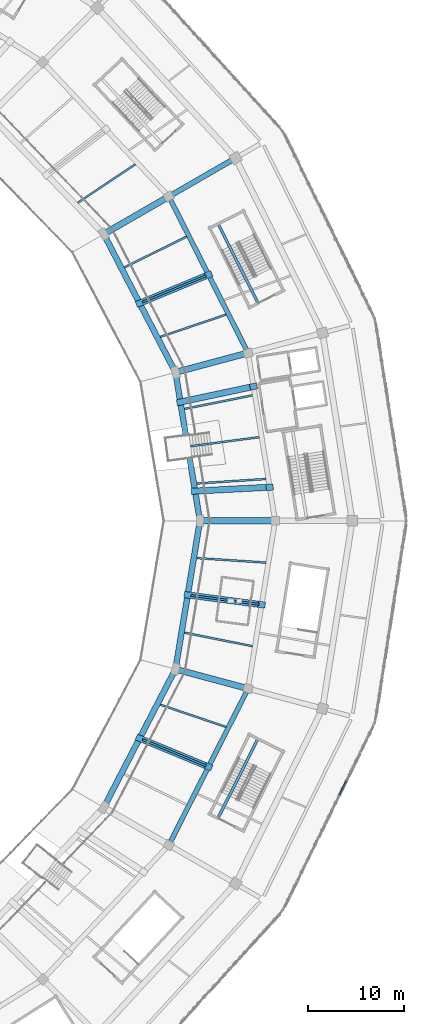
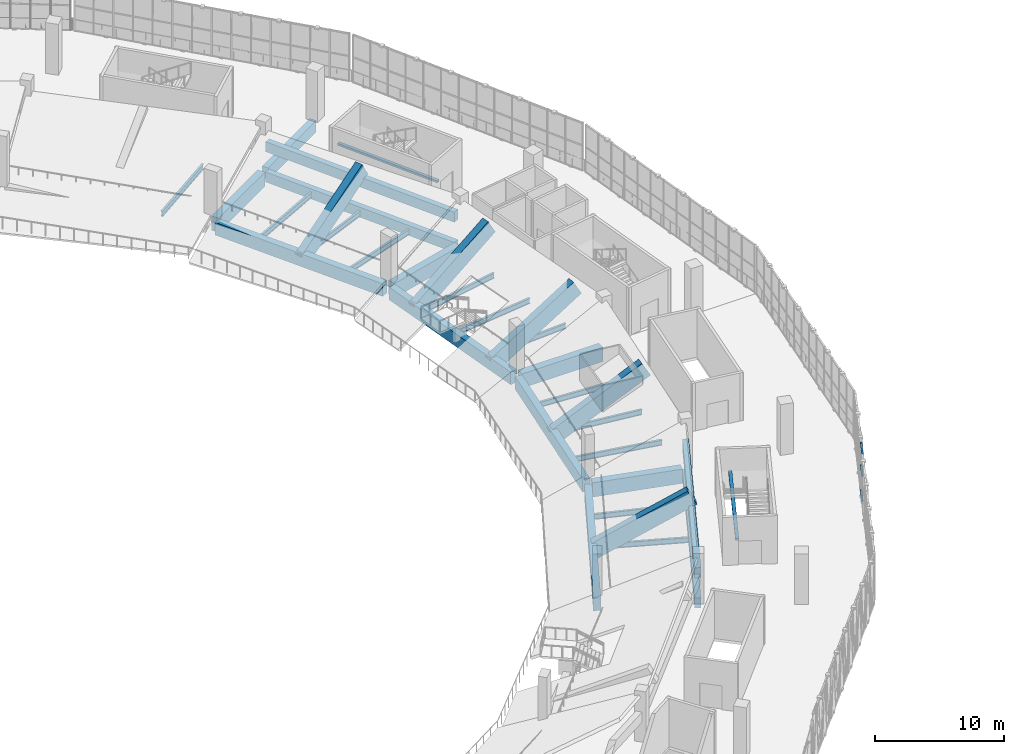
# One storey, part 37 of 152: 32 beams, 3 members, 1 element without a shape of its own.
"""IFC4 building model written with IfcOpenShell, lengths in metres."""

from ifc_helpers import new_model, si_unit, direction, frame, origin, origin_2d, place, context, subcontext, project, spatial, rectangle, i_section, extrude, material, material_profile, profile_set, type_object, element, aggregate, save


model = new_model("IFC4")

# Units and contexts
model_context = context("Model", 3, precision=1e-05, world=origin(), true_north=direction((0.0, 1.0)))
body_context = subcontext(model_context, "Body", "Model", "MODEL_VIEW")
ifc_project = project(units=[si_unit("LENGTHUNIT", "METRE"), si_unit("AREAUNIT", "SQUARE_METRE"), si_unit("VOLUMEUNIT", "CUBIC_METRE"), si_unit("PLANEANGLEUNIT", "RADIAN"), si_unit("MASSUNIT", "GRAM", prefix="KILO")], contexts=[model_context])

# Site, building, storey
site_placement = place(None, origin())
site = spatial("IfcSite", under=ifc_project, at=site_placement, CompositionType="ELEMENT")
building_placement = place(site_placement, origin())
building = spatial("IfcBuilding", under=site, at=building_placement, Name="Zevraka Park Crest Stadium", CompositionType="ELEMENT")
storey_placement = place(building_placement, frame((0.0, 0.0, 15.0)))
storey = spatial("IfcBuildingStorey", under=building, at=storey_placement, Name="L03", CompositionType="ELEMENT", Elevation=15.0)

# Beams
ifc_material_1 = material(Name="Concrete C40/50", Category="concrete")
ifc_material_profile_1 = material_profile(ifc_material_1, rectangle(XDim=0.64990234375, YDim=1.35009765625, at=origin_2d()), Name="RC 1350x650")
ifc_profile_set_1 = profile_set([ifc_material_profile_1], Name="Concrete C40/50")
beam_type_1 = type_object("IfcBeamType", Name="BG01", PredefinedType="BEAM", material=ifc_profile_set_1)
beam_1_placement = place(storey_placement, frame((186.800048828125, 92.0, -0.68505859375), z_axis=(1.0, 0.0, 0.0), x_axis=(0.0, 1.0, 0.0)))
element("IfcBeam", 1, at=beam_1_placement, inside=storey, type_object=beam_type_1, Name="Radial Girder BG01 L03-BC-00", PredefinedType="BEAM", context=body_context, shape_type="SweptSolid", body=[
    extrude(rectangle(XDim=0.64990234375, YDim=1.35009765625, at=origin_2d()), origin(), (0.0, 0.0, 1.0), 7.199951171875),
])
beam_2_placement = place(storey_placement, frame((184.2509765625, 107.47802734375, -0.68505859375), z_axis=(0.965945630245, 0.258745124417, 0.0), x_axis=(-0.258745124417, 0.965945630245, 0.0)))
element("IfcBeam", 2, at=beam_2_placement, inside=storey, type_object=beam_type_1, Name="Radial Girder BG01 L03-BC-01", PredefinedType="BEAM", context=body_context, shape_type="SweptSolid", body=[
    extrude(rectangle(XDim=0.64990234375, YDim=1.35009765625, at=origin_2d()), origin(), (0.0, 0.0, 1.0), 7.2001953125),
])
beam_3_placement = place(storey_placement, frame((176.779052734375, 121.89990234375, -0.68505859375), z_axis=(0.866001485781, 0.500041424909, 0.0), x_axis=(-0.500041424909, 0.866001485781, 0.0)))
element("IfcBeam", 3, at=beam_3_placement, inside=storey, type_object=beam_type_1, Name="Radial Girder BG01 L03-BC-02", PredefinedType="BEAM", context=body_context, shape_type="SweptSolid", body=[
    extrude(rectangle(XDim=0.64990234375, YDim=1.35009765625, at=origin_2d()), origin(), (0.0, 0.0, 1.0), 7.19970703125),
])
beam_4_placement = place(storey_placement, frame((184.2509765625, 76.52197265625, -0.68505859375), z_axis=(0.965945630245, -0.258745124417, 0.0), x_axis=(0.258745124417, 0.965945630245, 0.0)))
element("IfcBeam", 4, at=beam_4_placement, inside=storey, type_object=beam_type_1, Name="Radial Girder BG01 L03-BC-23", PredefinedType="BEAM", context=body_context, shape_type="SweptSolid", body=[
    extrude(rectangle(XDim=0.64990234375, YDim=1.35009765625, at=origin_2d()), origin(), (0.0, 0.0, 1.0), 7.2001953125),
])
ifc_material_2 = material(Name="Concrete C40/50", Category="concrete")
ifc_material_profile_2 = material_profile(ifc_material_2, rectangle(XDim=0.550048828125, YDim=1.10009765625, at=origin_2d()), Name="RC 1100x550")
ifc_profile_set_2 = profile_set([ifc_material_profile_2], Name="Concrete C40/50")
beam_type_2 = type_object("IfcBeamType", Name="BG02", PredefinedType="BEAM", material=ifc_profile_set_2)
beam_5_placement = place(storey_placement, frame((183.533935546875, 125.800048828125, -0.56005859375), z_axis=(0.86600700885, 0.500031859608, 0.0), x_axis=(-0.500031859608, 0.86600700885, 0.0)))
element("IfcBeam", 5, at=beam_5_placement, inside=storey, type_object=beam_type_2, Name="Radial Girder BG02 L03-CD-02", PredefinedType="BEAM", context=body_context, shape_type="SweptSolid", body=[
    extrude(rectangle(XDim=0.550048828125, YDim=1.10009765625, at=origin_2d()), origin(), (0.0, 0.0, 1.0), 7.3994140625),
])

# Curtain wall, members
ifc_material_3 = material(Name="Anodised architectural aluminium and laminated safety glass", Category="aluminium")
curtain_wall_type = type_object("IfcCurtainWallType", Name="CW12", PredefinedType="NOTDEFINED", material=ifc_material_3)
curtain_wall_placement = place(storey_placement, origin())
curtain_wall = element("IfcCurtainWall", 6, at=curtain_wall_placement, inside=storey, type_object=curtain_wall_type, Name="Unitised Ring Curtain Wall CW12 L03-22", PredefinedType="NOTDEFINED")
ifc_material_4 = material(Name="Anodised architectural aluminium", Category="aluminium")
ifc_material_profile_3 = material_profile(ifc_material_4, rectangle(XDim=0.14990234375, YDim=0.070068359375, at=origin_2d()), Name="ALU TRANSOM 150x70")
ifc_profile_set_3 = profile_set([ifc_material_profile_3], Name="Anodised architectural aluminium")
member_type = type_object("IfcMemberType", Name="CT03", PredefinedType="USERDEFINED", material=ifc_profile_set_3)
member_1_placement = place(storey_placement, frame((200.96923828125, 63.56005859375, 0.034912109375), z_axis=(0.440722911723, 0.897643200321, 0.0), x_axis=(-0.897643200321, 0.440722911723, 0.0)))
member_1 = element("IfcMember", 7, at=member_1_placement, type_object=member_type, Name="CW12 transom 9.1", ObjectType="TRANSOM", PredefinedType="USERDEFINED", context=body_context, shape_type="SweptSolid", body=[
    extrude(rectangle(XDim=0.14990234375, YDim=0.070068359375, at=origin_2d()), origin(), (0.0, 0.0, 1.0), 1.582763671875),
])
member_2_placement = place(storey_placement, frame((200.96923828125, 63.56005859375, 2.39990234375), z_axis=(0.440722911723, 0.897643200321, 0.0), x_axis=(-0.897643200321, 0.440722911723, 0.0)))
member_2 = element("IfcMember", 8, at=member_2_placement, type_object=member_type, Name="CW12 transom 9.2", ObjectType="TRANSOM", PredefinedType="USERDEFINED", context=body_context, shape_type="SweptSolid", body=[
    extrude(rectangle(XDim=0.14990234375, YDim=0.070068359375, at=origin_2d()), origin(), (0.0, 0.0, 1.0), 1.582763671875),
])
member_3_placement = place(storey_placement, frame((200.96923828125, 63.56005859375, 4.5048828125), z_axis=(0.440722911723, 0.897643200321, 0.0), x_axis=(-0.897643200321, 0.440722911723, 0.0)))
member_3 = element("IfcMember", 9, at=member_3_placement, type_object=member_type, Name="CW12 transom 9.3", ObjectType="TRANSOM", PredefinedType="USERDEFINED", context=body_context, shape_type="SweptSolid", body=[
    extrude(rectangle(XDim=0.14990234375, YDim=0.070068359375, at=origin_2d()), origin(), (0.0, 0.0, 1.0), 1.582763671875),
])
aggregate(curtain_wall, [member_1, member_2, member_3])

# Beams
ifc_material_5 = material(Name="Concrete C40/50", Category="concrete")
ifc_material_profile_4 = material_profile(ifc_material_5, rectangle(XDim=0.60009765625, YDim=1.199951171875, at=origin_2d()), Name="RC 1200x600")
ifc_profile_set_4 = profile_set([ifc_material_profile_4], Name="Concrete C40/50")
beam_type_3 = type_object("IfcBeamType", Name="RB01", PredefinedType="BEAM", material=ifc_profile_set_4)
beam_6_placement = place(storey_placement, frame((186.43798828125, 92.375, -0.610107421875), z_axis=(-0.162654875862, 0.986683024764, 0.0), x_axis=(-0.986683024764, -0.162654875862, 0.0)))
element("IfcBeam", 10, at=beam_6_placement, inside=storey, type_object=beam_type_3, Name="Ring Beam RB01 L03-B-00", PredefinedType="BEAM", context=body_context, shape_type="SweptSolid", body=[
    extrude(rectangle(XDim=0.60009765625, YDim=1.199951171875, at=origin_2d()), origin(), (0.0, 0.0, 1.0), 14.84765625),
])
for number, where, z_axis, x_axis, name in (
    (11, (183.785888671875, 107.737060546875, -0.610107421875), (-0.460343993973, 0.887740619333, 0.0), (-0.887740619333, -0.460343993973, 0.0), "Ring Beam RB01 L03-B-01"),
    (12, (176.694091796875, 62.5869140625, -0.610107421875), (0.460343993973, 0.887740619333, 0.0), (-0.887740619333, 0.460343993973, 0.0), "Ring Beam RB01 L03-B-22"),
):
    element("IfcBeam", number, at=place(storey_placement, frame(where, z_axis=z_axis, x_axis=x_axis)), inside=storey, type_object=beam_type_3, Name=name, PredefinedType="BEAM", context=body_context, shape_type="SweptSolid", body=[
        extrude(rectangle(XDim=0.60009765625, YDim=1.199951171875, at=origin_2d()), origin(), (0.0, 0.0, 1.0), 15.405517578125),
    ])
beam_7_placement = place(storey_placement, frame((184.02294921875, 76.97509765625, -0.610107421875), z_axis=(0.162654875862, 0.986683024764, 0.0), x_axis=(-0.986683024764, 0.162654875862, 0.0)))
element("IfcBeam", 13, at=beam_7_placement, inside=storey, type_object=beam_type_3, Name="Ring Beam RB01 L03-B-23", PredefinedType="BEAM", context=body_context, shape_type="SweptSolid", body=[
    extrude(rectangle(XDim=0.60009765625, YDim=1.199951171875, at=origin_2d()), origin(), (0.0, 0.0, 1.0), 14.84765625),
])
ifc_material_6 = material(Name="Concrete C40/50", Category="concrete")
ifc_material_profile_5 = material_profile(ifc_material_6, rectangle(XDim=0.5, YDim=0.949951171875, at=origin_2d()), Name="RC 950x500")
ifc_profile_set_5 = profile_set([ifc_material_profile_5], Name="Concrete C40/50")
beam_type_4 = type_object("IfcBeamType", Name="RB02", PredefinedType="BEAM", material=ifc_profile_set_5)
for number, where, z_axis, x_axis, name in (
    (14, (191.323974609375, 109.758056640625, -0.485107421875), (-0.451862275442, 0.892087710953, 0.0), (-0.892087710953, -0.451862275442, 0.0), "Ring Beam RB02 L03-C-01"),
    (15, (183.446044921875, 58.68896484375, -0.485107421875), (0.451862275442, 0.892087710953, 0.0), (-0.892087710953, 0.451862275442, 0.0), "Ring Beam RB02 L03-C-22"),
    (16, (191.323974609375, 109.758056640625, 2.375), (-0.451862275442, 0.892087710953, 0.0), (-0.892087710953, -0.451862275442, 0.0), "Upper Tier Head Raker Ring Beam RB02 01"),
    (17, (183.446044921875, 58.68896484375, 2.375), (0.451862275442, 0.892087710953, 0.0), (-0.892087710953, 0.451862275442, 0.0), "Upper Tier Head Raker Ring Beam RB02 22"),
):
    element("IfcBeam", number, at=place(storey_placement, frame(where, z_axis=z_axis, x_axis=x_axis)), inside=storey, type_object=beam_type_4, Name=name, PredefinedType="BEAM", context=body_context, shape_type="SweptSolid", body=[
        extrude(rectangle(XDim=0.5, YDim=0.949951171875, at=origin_2d()), origin(), (0.0, 0.0, 1.0), 17.434326171875),
    ])
ifc_material_7 = material(Name="Concrete C40/50", Category="concrete")
ifc_material_profile_6 = material_profile(ifc_material_7, rectangle(XDim=0.64990234375, YDim=1.5, at=origin_2d()), Name="RC 1500x650")
ifc_profile_set_6 = profile_set([ifc_material_profile_6], Name="Concrete C40/50")
beam_type_5 = type_object("IfcBeamType", Name="RK02", PredefinedType="BEAM", material=ifc_profile_set_6)
beam_8_placement = place(storey_placement, frame((185.991943359375, 95.080078125, -0.800048828125), z_axis=(0.869603239443, 0.045327233015, 0.491666195602), x_axis=(-0.052053374482, 0.998644304147, 0.0)))
element("IfcBeam", 18, at=beam_8_placement, inside=storey, type_object=beam_type_5, Name="Upper Bowl Main Raker Girder RK02 00-1", PredefinedType="BEAM", context=body_context, shape_type="SweptSolid", body=[
    extrude(rectangle(XDim=0.64990234375, YDim=1.5, at=origin_2d()), origin(), (0.0, 0.0, 1.0), 8.90869140625),
])
beam_9_placement = place(storey_placement, frame((184.468994140625, 104.320068359375, -0.800048828125), z_axis=(0.851713335795, 0.181276824848, 0.491653441361), x_axis=(-0.20817490473, 0.978091615873, 0.0)))
element("IfcBeam", 19, at=beam_9_placement, inside=storey, type_object=beam_type_5, Name="Upper Bowl Main Raker Girder RK02 00-2", PredefinedType="BEAM", context=body_context, shape_type="SweptSolid", body=[
    extrude(rectangle(XDim=0.64990234375, YDim=1.5, at=origin_2d()), origin(), (0.0, 0.0, 1.0), 8.908935546875),
])
beam_10_placement = place(storey_placement, frame((180.239990234375, 114.574951171875, -0.800048828125), z_axis=(0.803886737331, 0.333025449443, 0.492808445105), x_axis=(-0.38272724096, 0.92386138518, 0.0)))
element("IfcBeam", 20, at=beam_10_placement, inside=storey, type_object=beam_type_5, Name="Upper Bowl Main Raker Girder RK02 01", PredefinedType="BEAM", context=body_context, shape_type="SweptSolid", body=[
    extrude(rectangle(XDim=0.64990234375, YDim=1.5, at=origin_2d()), origin(), (0.0, 0.0, 1.0), 8.88818359375),
])
beam_11_placement = place(storey_placement, frame((180.239990234375, 69.425048828125, -0.800048828125), z_axis=(0.803916148748, -0.332927756538, 0.492826475251), x_axis=(0.382619458386, 0.923906028806, 0.0)))
element("IfcBeam", 21, at=beam_11_placement, inside=storey, type_object=beam_type_5, Name="Upper Bowl Main Raker Girder RK02 22", PredefinedType="BEAM", context=body_context, shape_type="SweptSolid", body=[
    extrude(rectangle(XDim=0.64990234375, YDim=1.5, at=origin_2d()), origin(), (0.0, 0.0, 1.0), 8.8876953125),
])
beam_12_placement = place(storey_placement, frame((185.22998046875, 84.300048828125, -0.800048828125), z_axis=(0.862706215679, -0.113524095434, 0.492798402174), x_axis=(0.130465944546, 0.991452791268, 0.0)))
element("IfcBeam", 22, at=beam_12_placement, inside=storey, type_object=beam_type_5, Name="Upper Bowl Main Raker Girder RK02 23", PredefinedType="BEAM", context=body_context, shape_type="SweptSolid", body=[
    extrude(rectangle(XDim=0.64990234375, YDim=1.5, at=origin_2d()), origin(), (0.0, 0.0, 1.0), 8.88818359375),
])
ifc_material_8 = material(Name="Steel S355", Category="steel")
ifc_material_profile_7 = material_profile(ifc_material_8, i_section(OverallWidth=0.199951171875, OverallDepth=0.5, WebThickness=0.01025390625, FlangeThickness=0.01611328125, at=origin_2d()), Name="IPE 500")
ifc_profile_set_7 = profile_set([ifc_material_profile_7], Name="Steel S355")
beam_type_6 = type_object("IfcBeamType", Name="SJ10", PredefinedType="JOIST", material=ifc_profile_set_7)
beam_13_placement = place(storey_placement, frame((186.179931640625, 95.87109375, -0.55810546875), z_axis=(0.997879386875, 0.065090162464, 0.0), x_axis=(-0.065090162464, 0.997879386875, 0.0)))
element("IfcBeam", 23, at=beam_13_placement, inside=storey, type_object=beam_type_6, Name="Floor Joist SJ10 L03-BC-00-1", PredefinedType="JOIST", context=body_context, shape_type="SweptSolid", body=[
    extrude(i_section(OverallWidth=0.199951171875, OverallDepth=0.5, WebThickness=0.01025390625, FlangeThickness=0.01611328125, at=origin_2d()), origin(), (0.0, 0.0, 1.0), 7.190185546875),
])
beam_14_placement = place(storey_placement, frame((185.54296875, 99.740966796875, -0.55810546875), z_axis=(0.991432387953, 0.130620902302, 0.0), x_axis=(-0.130620902302, 0.991432387953, 0.0)))
element("IfcBeam", 24, at=beam_14_placement, inside=storey, type_object=beam_type_6, Name="Floor Joist SJ10 L03-BC-00-2", PredefinedType="JOIST", context=body_context, shape_type="SweptSolid", body=[
    extrude(i_section(OverallWidth=0.199951171875, OverallDepth=0.5, WebThickness=0.01025390625, FlangeThickness=0.01611328125, at=origin_2d()), origin(), (0.0, 0.0, 1.0), 7.173583984375),
])
beam_15_placement = place(storey_placement, frame((184.905029296875, 103.612060546875, -0.55810546875), z_axis=(0.98075007635, 0.195267221364, 0.0), x_axis=(-0.195267221364, 0.98075007635, 0.0)))
element("IfcBeam", 25, at=beam_15_placement, inside=storey, type_object=beam_type_6, Name="Floor Joist SJ10 L03-BC-00-3", PredefinedType="JOIST", context=body_context, shape_type="SweptSolid", body=[
    extrude(i_section(OverallWidth=0.199951171875, OverallDepth=0.5, WebThickness=0.01025390625, FlangeThickness=0.01611328125, at=origin_2d()), origin(), (0.0, 0.0, 1.0), 7.1904296875),
])
beam_16_placement = place(storey_placement, frame((182.39892578125, 111.089111328125, -0.55810546875), z_axis=(0.947037352852, 0.321123422227, 0.0), x_axis=(-0.321123422227, 0.947037352852, 0.0)))
element("IfcBeam", 26, at=beam_16_placement, inside=storey, type_object=beam_type_6, Name="Floor Joist SJ10 L03-BC-01-1", PredefinedType="JOIST", context=body_context, shape_type="SweptSolid", body=[
    extrude(i_section(OverallWidth=0.199951171875, OverallDepth=0.5, WebThickness=0.01025390625, FlangeThickness=0.01611328125, at=origin_2d()), origin(), (0.0, 0.0, 1.0), 7.18994140625),
])
beam_17_placement = place(storey_placement, frame((180.531005859375, 114.696044921875, -0.55810546875), z_axis=(0.923904434651, 0.382623307749, 0.0), x_axis=(-0.382623307749, 0.923904434651, 0.0)))
element("IfcBeam", 27, at=beam_17_placement, inside=storey, type_object=beam_type_6, Name="Floor Joist SJ10 L03-BC-01-2", PredefinedType="JOIST", context=body_context, shape_type="SweptSolid", body=[
    extrude(i_section(OverallWidth=0.199951171875, OverallDepth=0.5, WebThickness=0.01025390625, FlangeThickness=0.01611328125, at=origin_2d()), origin(), (0.0, 0.0, 1.0), 7.173828125),
])
beam_18_placement = place(storey_placement, frame((178.662109375, 118.302001953125, -0.55810546875), z_axis=(0.89675774001, 0.442521813849, 0.0), x_axis=(-0.442521813849, 0.89675774001, 0.0)))
element("IfcBeam", 28, at=beam_18_placement, inside=storey, type_object=beam_type_6, Name="Floor Joist SJ10 L03-BC-01-3", PredefinedType="JOIST", context=body_context, shape_type="SweptSolid", body=[
    extrude(i_section(OverallWidth=0.199951171875, OverallDepth=0.5, WebThickness=0.01025390625, FlangeThickness=0.01611328125, at=origin_2d()), origin(), (0.0, 0.0, 1.0), 7.1904296875),
])
beam_19_placement = place(storey_placement, frame((173.821044921875, 125.006103515625, -0.55810546875), z_axis=(0.831668706104, 0.55527215245, 0.0), x_axis=(-0.55527215245, 0.831668706104, 0.0)))
element("IfcBeam", 29, at=beam_19_placement, inside=storey, type_object=beam_type_6, Name="Floor Joist SJ10 L03-BC-02-1", PredefinedType="JOIST", context=body_context, shape_type="SweptSolid", body=[
    extrude(i_section(OverallWidth=0.199951171875, OverallDepth=0.5, WebThickness=0.01025390625, FlangeThickness=0.01611328125, at=origin_2d()), origin(), (0.0, 0.0, 1.0), 7.189208984375),
])
beam_20_placement = place(storey_placement, frame((180.531005859375, 69.303955078125, -0.55810546875), z_axis=(0.923904434651, -0.382623307749, 0.0), x_axis=(0.382623307749, 0.923904434651, 0.0)))
element("IfcBeam", 30, at=beam_20_placement, inside=storey, type_object=beam_type_6, Name="Floor Joist SJ10 L03-BC-22-2", PredefinedType="JOIST", context=body_context, shape_type="SweptSolid", body=[
    extrude(i_section(OverallWidth=0.199951171875, OverallDepth=0.5, WebThickness=0.01025390625, FlangeThickness=0.01611328125, at=origin_2d()), origin(), (0.0, 0.0, 1.0), 7.173828125),
])
beam_21_placement = place(storey_placement, frame((182.39892578125, 72.910888671875, -0.55810546875), z_axis=(0.947037352852, -0.321123422227, 0.0), x_axis=(0.321123422227, 0.947037352852, 0.0)))
element("IfcBeam", 31, at=beam_21_placement, inside=storey, type_object=beam_type_6, Name="Floor Joist SJ10 L03-BC-22-3", PredefinedType="JOIST", context=body_context, shape_type="SweptSolid", body=[
    extrude(i_section(OverallWidth=0.199951171875, OverallDepth=0.5, WebThickness=0.01025390625, FlangeThickness=0.01611328125, at=origin_2d()), origin(), (0.0, 0.0, 1.0), 7.18994140625),
])
beam_22_placement = place(storey_placement, frame((184.905029296875, 80.387939453125, -0.55810546875), z_axis=(0.98075007635, -0.195267221364, 0.0), x_axis=(0.195267221364, 0.98075007635, 0.0)))
element("IfcBeam", 32, at=beam_22_placement, inside=storey, type_object=beam_type_6, Name="Floor Joist SJ10 L03-BC-23-1", PredefinedType="JOIST", context=body_context, shape_type="SweptSolid", body=[
    extrude(i_section(OverallWidth=0.199951171875, OverallDepth=0.5, WebThickness=0.01025390625, FlangeThickness=0.01611328125, at=origin_2d()), origin(), (0.0, 0.0, 1.0), 7.1904296875),
])
beam_23_placement = place(storey_placement, frame((185.54296875, 84.259033203125, -0.55810546875), z_axis=(0.991432387953, -0.130620902302, 0.0), x_axis=(0.130620902302, 0.991432387953, 0.0)))
element("IfcBeam", 33, at=beam_23_placement, inside=storey, type_object=beam_type_6, Name="Floor Joist SJ10 L03-BC-23-2", PredefinedType="JOIST", context=body_context, shape_type="SweptSolid", body=[
    extrude(i_section(OverallWidth=0.199951171875, OverallDepth=0.5, WebThickness=0.01025390625, FlangeThickness=0.01611328125, at=origin_2d()), origin(), (0.0, 0.0, 1.0), 7.173583984375),
])
beam_24_placement = place(storey_placement, frame((186.179931640625, 88.12890625, -0.55810546875), z_axis=(0.997879386875, -0.065090162464, 0.0), x_axis=(0.065090162464, 0.997879386875, 0.0)))
element("IfcBeam", 34, at=beam_24_placement, inside=storey, type_object=beam_type_6, Name="Floor Joist SJ10 L03-BC-23-3", PredefinedType="JOIST", context=body_context, shape_type="SweptSolid", body=[
    extrude(i_section(OverallWidth=0.199951171875, OverallDepth=0.5, WebThickness=0.01025390625, FlangeThickness=0.01611328125, at=origin_2d()), origin(), (0.0, 0.0, 1.0), 7.190185546875),
])
ifc_material_9 = material(Name="Concrete C40/50", Category="concrete")
ifc_material_profile_8 = material_profile(ifc_material_9, rectangle(XDim=0.280029296875, YDim=0.199951171875, at=origin_2d()), Name="RC 200x280")
ifc_profile_set_8 = profile_set([ifc_material_profile_8], Name="Concrete C40/50")
beam_type_7 = type_object("IfcBeamType", Name="SJ13", PredefinedType="JOIST", material=ifc_profile_set_8)
beam_25_placement = place(storey_placement, frame((192.518798828125, 114.591552734375, 2.300048828125), z_axis=(-0.447920796254, 0.894073241006, 0.0), x_axis=(-0.894073241006, -0.447920796254, 0.0)))
element("IfcBeam", 35, at=beam_25_placement, inside=storey, type_object=beam_type_7, Name="Stair Upper-Flight Longitudinal Stringer SJ13 ST02-L03", PredefinedType="JOIST", context=body_context, shape_type="SweptSolid", body=[
    extrude(rectangle(XDim=0.280029296875, YDim=0.199951171875, at=origin_2d()), origin(), (0.0, 0.0, 1.0), 9.25),
])
beam_26_placement = place(storey_placement, frame((188.375244140625, 61.1376953125, 2.300048828125), z_axis=(0.447910267746, 0.894078515594, 0.0), x_axis=(-0.894078515594, 0.447910267746, 0.0)))
element("IfcBeam", 36, at=beam_26_placement, inside=storey, type_object=beam_type_7, Name="Stair Upper-Flight Longitudinal Stringer SJ13 ST23-L03", PredefinedType="JOIST", context=body_context, shape_type="SweptSolid", body=[
    extrude(rectangle(XDim=0.280029296875, YDim=0.199951171875, at=origin_2d()), origin(), (0.0, 0.0, 1.0), 9.249755859375),
])

save(model, "model.ifc")
